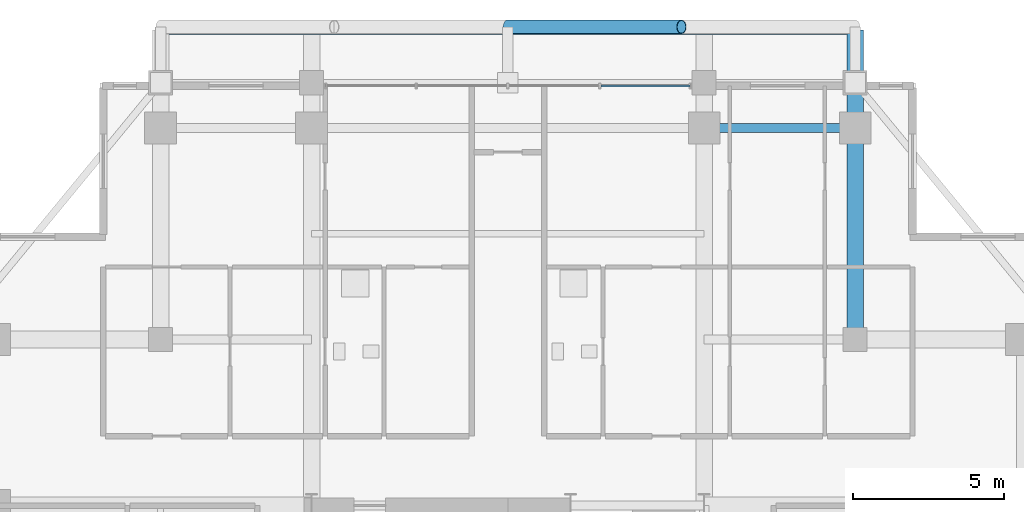
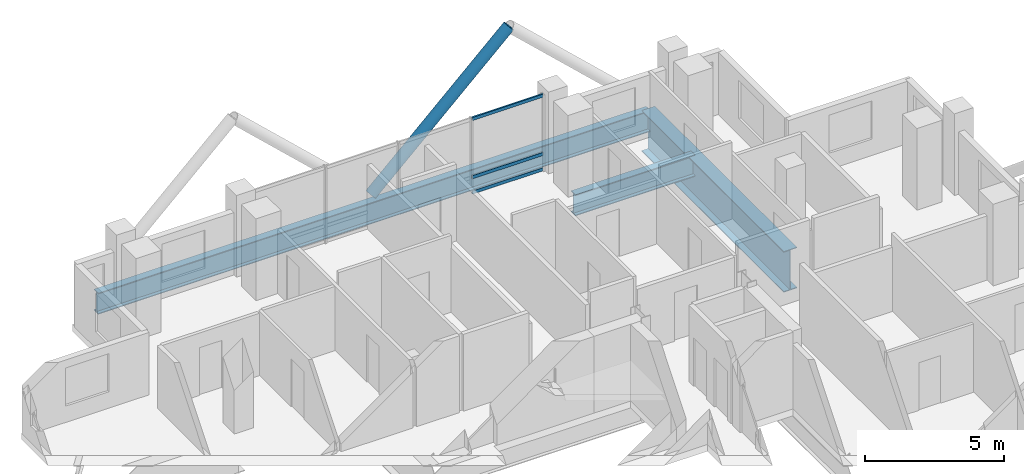
# One storey, part 13 of 23: 4 members, 3 beams, 1 element without a shape of its own.
"""IFC4 building model written with IfcOpenShell, lengths in metres."""

from ifc_helpers import new_model, si_unit, direction, frame, origin, origin_2d, place, context, subcontext, project, spatial, hollow_rectangle, hollow_circle, i_section, extrude, material, layer, layer_set, material_profile, profile_set, type_object, element, aggregate, save


model = new_model("IFC4")

# Units and contexts
model_context = context("Model", 3, precision=1e-05, world=origin(), true_north=direction((0.0, 1.0)))
body_context = subcontext(model_context, "Body", "Model", "MODEL_VIEW")
ifc_project = project(units=[si_unit("LENGTHUNIT", "METRE"), si_unit("AREAUNIT", "SQUARE_METRE"), si_unit("VOLUMEUNIT", "CUBIC_METRE"), si_unit("PLANEANGLEUNIT", "RADIAN"), si_unit("MASSUNIT", "GRAM", prefix="KILO")], contexts=[model_context])

# Site, building, storey
site_placement = place(None, origin())
site = spatial("IfcSite", under=ifc_project, at=site_placement, CompositionType="ELEMENT")
building_placement = place(site_placement, origin())
building = spatial("IfcBuilding", under=site, at=building_placement, Name="Barlavira Tower and Art Museum", CompositionType="ELEMENT")
storey_placement = place(building_placement, frame((0.0, 0.0, 165.60009765625)))
storey = spatial("IfcBuildingStorey", under=building, at=storey_placement, Name="L42", CompositionType="ELEMENT", Elevation=165.60009765625)

# Curtain wall, members
ifc_material_1 = material(Name="Low-iron coastal laminated glass", Category="glass")
ifc_layer = layer(ifc_material_1, 0.199951171875, Name="Low-iron coastal laminated glass")
ifc_layer_set = layer_set([ifc_layer], Name="Low-iron coastal laminated glass")
curtain_wall_type = type_object("IfcCurtainWallType", Name="Pale-Metal Unitised Curtain Wall Zone 3", PredefinedType="NOTDEFINED", material=ifc_layer_set)
curtain_wall_placement = place(storey_placement, origin())
curtain_wall = element("IfcCurtainWall", 1, at=curtain_wall_placement, inside=storey, type_object=curtain_wall_type, Name="L42 Curtain Wall CW3-L42-N-B3", PredefinedType="NOTDEFINED")
ifc_material_2 = material(Name="Pale anodised aluminium", Category="aluminium")
ifc_material_profile_1 = material_profile(ifc_material_2, hollow_rectangle(XDim=0.06494140625, YDim=0.139892578125, WallThickness=0.00390625, at=origin_2d()), Name="ALU-TRAN 65x140x4")
ifc_profile_set_1 = profile_set([ifc_material_profile_1], Name="Pale anodised aluminium")
member_type_1 = type_object("IfcMemberType", Name="Curtain Wall Pale-Metal Transom 65x140", PredefinedType="USERDEFINED", material=ifc_profile_set_1)
member_1_placement = place(storey_placement, frame((6.034912109375, 21.39990234375, 0.06982421875), z_axis=(-1.0, 0.0, 0.0), x_axis=(0.0, -1.0, 0.0)))
member_1 = element("IfcMember", 2, at=member_1_placement, type_object=member_type_1, Name="CW3-L42-N-B3 Transom 0.1", ObjectType="TRANSOM", PredefinedType="USERDEFINED", context=body_context, shape_type="SweptSolid", body=[
    extrude(hollow_rectangle(XDim=0.06494140625, YDim=0.139892578125, WallThickness=0.00390625, at=origin_2d()), origin(), (0.0, 0.0, 1.0), 2.949951171875),
])
member_2_placement = place(storey_placement, frame((6.034912109375, 21.39990234375, 0.743896484375), z_axis=(-1.0, 0.0, 0.0), x_axis=(0.0, -1.0, 0.0)))
member_2 = element("IfcMember", 3, at=member_2_placement, type_object=member_type_1, Name="CW3-L42-N-B3 Transom 0.2", ObjectType="TRANSOM", PredefinedType="USERDEFINED", context=body_context, shape_type="SweptSolid", body=[
    extrude(hollow_rectangle(XDim=0.06494140625, YDim=0.139892578125, WallThickness=0.00390625, at=origin_2d()), origin(), (0.0, 0.0, 1.0), 2.949951171875),
])
member_3_placement = place(storey_placement, frame((6.034912109375, 21.39990234375, 3.309814453125), z_axis=(-1.0, 0.0, 0.0), x_axis=(0.0, -1.0, 0.0)))
member_3 = element("IfcMember", 4, at=member_3_placement, type_object=member_type_1, Name="CW3-L42-N-B3 Transom 0.3", ObjectType="TRANSOM", PredefinedType="USERDEFINED", context=body_context, shape_type="SweptSolid", body=[
    extrude(hollow_rectangle(XDim=0.06494140625, YDim=0.139892578125, WallThickness=0.00390625, at=origin_2d()), origin(), (0.0, 0.0, 1.0), 2.949951171875),
])
aggregate(curtain_wall, [member_1, member_2, member_3])

# Member
ifc_material_3 = material(Name="Steel S355", Category="steel")
ifc_material_profile_2 = material_profile(ifc_material_3, hollow_circle(Radius=0.228515625, WallThickness=0.02001953125, at=origin_2d()), Name="CHS 457.0x20.0")
ifc_profile_set_2 = profile_set([ifc_material_profile_2], Name="Steel S355")
member_type_2 = type_object("IfcMemberType", Name="Pale-Metal Exoskeleton Diagrid Tube CHS 457x20 Steel S355", PredefinedType="BRACE", material=ifc_profile_set_2)
member_4_placement = place(storey_placement, frame((0.0, 23.35009765625, -0.1201171875), z_axis=(0.728950095515, 0.0, 0.684566839869), x_axis=(0.0, 1.0, 0.0)))
element("IfcMember", 5, at=member_4_placement, inside=storey, type_object=member_type_2, Name="L42 Exoskeleton Diagrid Tube N", PredefinedType="BRACE", context=body_context, shape_type="SweptSolid", body=[
    extrude(hollow_circle(Radius=0.228515625, WallThickness=0.02001953125, at=origin_2d()), origin(), (0.0, 0.0, 1.0), 7.887939453125),
])

# Beams
ifc_material_profile_3 = material_profile(ifc_material_3, i_section(OverallWidth=0.30908203125, OverallDepth=0.931884765625, WebThickness=0.01953125, FlangeThickness=0.034423828125, at=origin_2d()), Name="W920x313.0")
ifc_profile_set_3 = profile_set([ifc_material_profile_3], Name="Steel S355")
beam_type_1 = type_object("IfcBeamType", Name="Setback Ring Girder W920x313 Steel S355", PredefinedType="BEAM", material=ifc_profile_set_3)
beam_1_placement = place(storey_placement, frame((6.5, 20.0, -0.76611328125), z_axis=(1.0, 0.0, 0.0), x_axis=(0.0, 1.0, 0.0)))
element("IfcBeam", 6, at=beam_1_placement, inside=storey, type_object=beam_type_1, Name="L42 Girder M-N3", PredefinedType="BEAM", context=body_context, shape_type="SweptSolid", body=[
    extrude(i_section(OverallWidth=0.30908203125, OverallDepth=0.931884765625, WebThickness=0.01953125, FlangeThickness=0.034423828125, at=origin_2d()), origin(), (0.0, 0.0, 1.0), 5.0),
])
beam_2_placement = place(storey_placement, frame((-11.5, 23.25, -0.76611328125), z_axis=(1.0, 0.0, 0.0), x_axis=(0.0, 1.0, 0.0)))
element("IfcBeam", 7, at=beam_2_placement, inside=storey, type_object=beam_type_1, Name="L42 North Setback Roof Edge Beam", PredefinedType="BEAM", context=body_context, shape_type="SweptSolid", body=[
    extrude(i_section(OverallWidth=0.30908203125, OverallDepth=0.931884765625, WebThickness=0.01953125, FlangeThickness=0.034423828125, at=origin_2d()), origin(), (0.0, 0.0, 1.0), 23.0),
])
ifc_material_profile_4 = material_profile(ifc_material_3, i_section(OverallWidth=0.550048828125, OverallDepth=1.800048828125, WebThickness=0.02587890625, FlangeThickness=0.033935546875, at=origin_2d()), Name="CVS1800x520")
ifc_profile_set_4 = profile_set([ifc_material_profile_4], Name="Steel S355")
beam_type_2 = type_object("IfcBeamType", Name="Zone Setback Transfer Girder CVS1800x520 Steel S355", PredefinedType="USERDEFINED", material=ifc_profile_set_4)
beam_3_placement = place(storey_placement, frame((11.5, 13.0, -1.2001953125), z_axis=(0.0, 1.0, 0.0), x_axis=(-1.0, 0.0, 0.0)))
element("IfcBeam", 8, at=beam_3_placement, inside=storey, type_object=beam_type_2, Name="L42 Setback Transfer Girder TGL42-06", ObjectType="TRANSFER GIRDER", PredefinedType="USERDEFINED", context=body_context, shape_type="SweptSolid", body=[
    extrude(i_section(OverallWidth=0.550048828125, OverallDepth=1.800048828125, WebThickness=0.02587890625, FlangeThickness=0.033935546875, at=origin_2d()), origin(), (0.0, 0.0, 1.0), 10.25),
])

save(model, "model.ifc")
